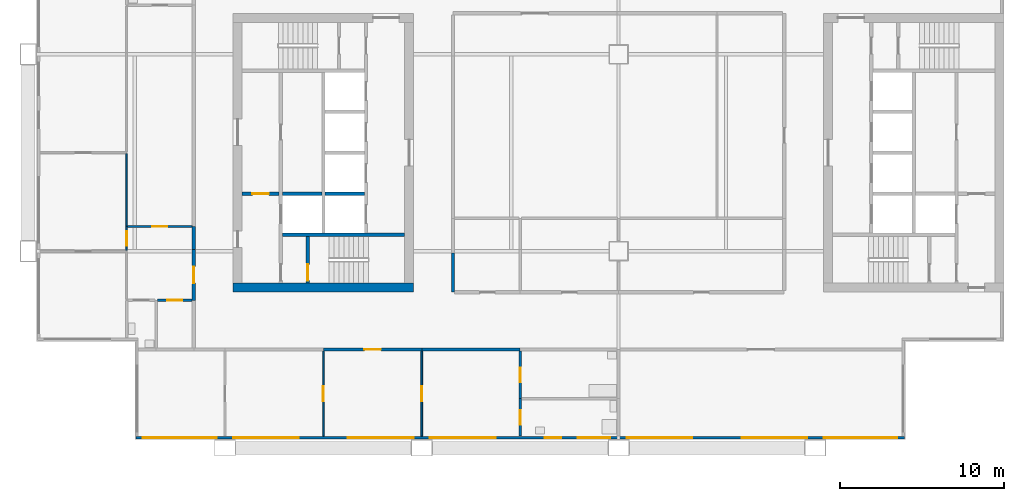
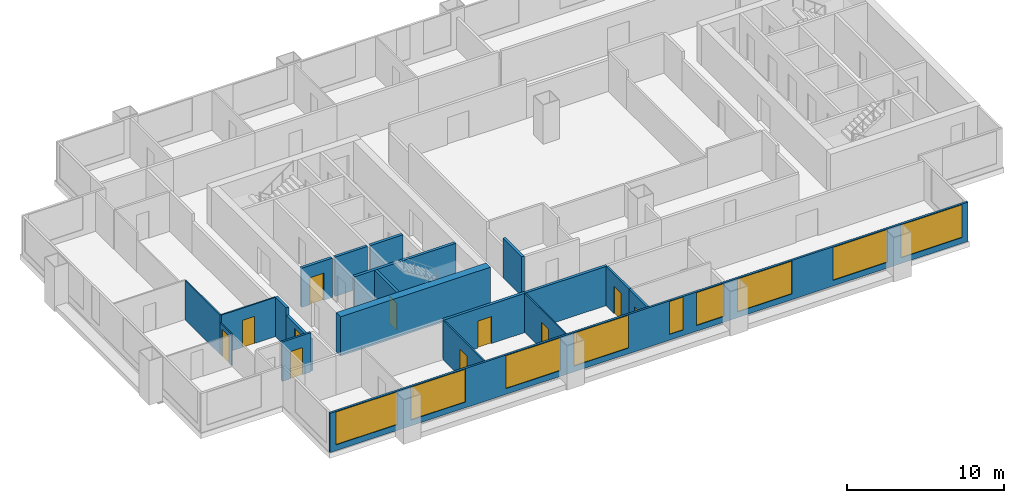
# One storey, part 2 of 8: 20 walls, 11 doors, 9 windows, 20 openings.
"""IFC4 building model written with IfcOpenShell, lengths in metres."""

from ifc_helpers import new_model, si_unit, direction, frame, frame_2d, origin, place, context, subcontext, project, spatial, rectangle, extrude, material, layer, layer_set, type_object, element, fill, save


model = new_model("IFC4")

# Units and contexts
model_context = context("Model", 3, precision=1e-05, world=origin(), true_north=direction((0.0, 1.0)))
body_context = subcontext(model_context, "Body", "Model", "MODEL_VIEW")
ifc_project = project(units=[si_unit("LENGTHUNIT", "METRE"), si_unit("AREAUNIT", "SQUARE_METRE"), si_unit("VOLUMEUNIT", "CUBIC_METRE"), si_unit("PLANEANGLEUNIT", "RADIAN"), si_unit("MASSUNIT", "GRAM", prefix="KILO")], contexts=[model_context])

# Site, building, storey
site_placement = place(None, origin())
site = spatial("IfcSite", under=ifc_project, at=site_placement, CompositionType="ELEMENT")
building_placement = place(site_placement, origin())
building = spatial("IfcBuilding", under=site, at=building_placement, Name="Kitamizu Gate Tower and Museum", CompositionType="ELEMENT")
storey_placement = place(building_placement, frame((0.0, 0.0, 165.14990234375)))
storey = spatial("IfcBuildingStorey", under=building, at=storey_placement, Name="L43", CompositionType="ELEMENT", Elevation=165.14990234375)

# Wall
ifc_material_1 = material(Name="Concrete Fc42", Category="concrete")
ifc_layer_1 = layer(ifc_material_1, 0.550048828125)
ifc_layer_set_1 = layer_set([ifc_layer_1], Name="Concrete Fc42")
wall_type_1 = type_object("IfcWallType", Name="Core wall 550", PredefinedType="SHEAR", material=ifc_layer_set_1)
wall_1_placement = place(storey_placement, frame((12.5, 21.77490234375, 0.0), z_axis=(0.0, 0.0, 1.0), x_axis=(1.0, 0.0, 0.0)))
element("IfcWall", 1, at=wall_1_placement, inside=storey, type_object=wall_type_1, Name="Core wall WS", PredefinedType="SHEAR", context=body_context, shape_type="SweptSolid", body=[
    extrude(rectangle(XDim=11.0, YDim=0.550048828125, at=frame_2d((5.5, 0.0))), origin(), (0.0, 0.0, 1.0), 3.050048828125),
])

# Wall, opening, door
ifc_material_2 = material(Name="Gypsum board on galvanised stud")
ifc_layer_2 = layer(ifc_material_2, 0.10009765625)
ifc_layer_set_2 = layer_set([ifc_layer_2], Name="Gypsum board on galvanised stud")
wall_type_2 = type_object("IfcWallType", Name="Partition 100 NOT RATED", PredefinedType="PARTITIONING", material=ifc_layer_set_2)
wall_2_placement = place(storey_placement, frame((18.0, 12.719970703125, 0.0), z_axis=(0.0, 0.0, 1.0), x_axis=(0.0, 1.0, 0.0)))
wall_2 = element("IfcWall", 2, at=wall_2_placement, inside=storey, type_object=wall_type_2, Name="Partition L43-005", PredefinedType="PARTITIONING", context=body_context, shape_type="SweptSolid", body=[
    extrude(rectangle(XDim=5.179931640625, YDim=0.10009765625, at=frame_2d((2.58984375, 0.0))), origin(), (0.0, 0.0, 1.0), 3.050048828125),
])
opening_1_placement = place(wall_2_placement, frame((2.139892578125, 0.0, 0.0)))
opening_1 = element("IfcOpeningElement", 3, at=opening_1_placement, cuts=wall_2, Name="Opening L43-002", PredefinedType="OPENING", context=body_context, shape_type="SweptSolid", body=[
    extrude(rectangle(XDim=0.89990234375, YDim=2.10009765625, at=frame_2d((0.449951171875, 1.050048828125))), frame((0.0, 0.06005859375, 0.0), z_axis=(0.0, -1.0, 0.0), x_axis=(1.0, 0.0, 0.0)), (0.0, 0.0, 1.0), 0.1201171875),
])
ifc_material_3 = material(Name="Timber door set", Category="wood")
door_type_1 = type_object("IfcDoorType", Name="Room door 900", OperationType="NOTDEFINED", PredefinedType="DOOR", material=ifc_material_3)
door_1_placement = place(opening_1_placement, origin())
door_1 = element("IfcDoor", 4, at=door_1_placement, inside=storey, type_object=door_type_1, Name="Door L43-002", OperationType="SINGLE_SWING_LEFT", OverallHeight=2.10009765625, OverallWidth=0.89990234375, PredefinedType="DOOR", context=body_context, shape_type="SweptSolid", body=[
    extrude(rectangle(XDim=0.89990234375, YDim=2.10009765625, at=frame_2d((0.449951171875, 1.050048828125))), frame((0.0, 0.02490234375, 0.0), z_axis=(0.0, -1.0, 0.0), x_axis=(1.0, 0.0, 0.0)), (0.0, 0.0, 1.0), 0.050048828125),
])
fill(opening_1, door_1)

wall_3_placement = place(storey_placement, frame((24.0, 12.719970703125, 0.0), z_axis=(0.0, 0.0, 1.0), x_axis=(0.0, 1.0, 0.0)))
wall_3 = element("IfcWall", 5, at=wall_3_placement, inside=storey, type_object=wall_type_2, Name="Partition L43-007", PredefinedType="PARTITIONING", context=body_context, shape_type="SweptSolid", body=[
    extrude(rectangle(XDim=5.179931640625, YDim=0.10009765625, at=frame_2d((2.58984375, 0.0))), origin(), (0.0, 0.0, 1.0), 3.050048828125),
])
opening_2_placement = place(wall_3_placement, frame((2.139892578125, 0.0, 0.0)))
opening_2 = element("IfcOpeningElement", 6, at=opening_2_placement, cuts=wall_3, Name="Opening L43-003", PredefinedType="OPENING", context=body_context, shape_type="SweptSolid", body=[
    extrude(rectangle(XDim=0.89990234375, YDim=2.10009765625, at=frame_2d((0.449951171875, 1.050048828125))), frame((0.0, 0.06005859375, 0.0), z_axis=(0.0, -1.0, 0.0), x_axis=(1.0, 0.0, 0.0)), (0.0, 0.0, 1.0), 0.1201171875),
])
door_2_placement = place(opening_2_placement, frame((0.89990234375, 0.0, 0.0), x_axis=(-1.0, 0.0, 0.0)))
door_2 = element("IfcDoor", 7, at=door_2_placement, inside=storey, type_object=door_type_1, Name="Door L43-003", OperationType="SINGLE_SWING_LEFT", OverallHeight=2.10009765625, OverallWidth=0.89990234375, PredefinedType="DOOR", context=body_context, shape_type="SweptSolid", body=[
    extrude(rectangle(XDim=0.89990234375, YDim=2.10009765625, at=frame_2d((0.449951171875, 1.050048828125))), frame((0.0, 0.02490234375, 0.0), z_axis=(0.0, -1.0, 0.0), x_axis=(1.0, 0.0, 0.0)), (0.0, 0.0, 1.0), 0.050048828125),
])
fill(opening_2, door_2)

wall_4_placement = place(storey_placement, frame((6.0, 24.050048828125, 0.0), z_axis=(0.0, 0.0, 1.0), x_axis=(0.0, 1.0, 0.0)))
wall_4 = element("IfcWall", 8, at=wall_4_placement, inside=storey, type_object=wall_type_2, Name="Partition L43-031", PredefinedType="PARTITIONING", context=body_context, shape_type="SweptSolid", body=[
    extrude(rectangle(XDim=1.449951171875, YDim=0.10009765625, at=frame_2d((0.72509765625, 0.0))), origin(), (0.0, 0.0, 1.0), 2.4501953125),
])
opening_3_placement = place(wall_4_placement, frame((0.27490234375, 0.0, 0.0)))
opening_3 = element("IfcOpeningElement", 9, at=opening_3_placement, cuts=wall_4, Name="Opening L43-013", PredefinedType="OPENING", context=body_context, shape_type="SweptSolid", body=[
    extrude(rectangle(XDim=0.89990234375, YDim=2.10009765625, at=frame_2d((0.449951171875, 1.050048828125))), frame((0.0, 0.06005859375, 0.0), z_axis=(0.0, -1.0, 0.0), x_axis=(1.0, 0.0, 0.0)), (0.0, 0.0, 1.0), 0.1201171875),
])
door_3_placement = place(opening_3_placement, origin())
door_3 = element("IfcDoor", 10, at=door_3_placement, inside=storey, type_object=door_type_1, Name="Door L43-013", OperationType="SINGLE_SWING_RIGHT", OverallHeight=2.10009765625, OverallWidth=0.89990234375, PredefinedType="DOOR", context=body_context, shape_type="SweptSolid", body=[
    extrude(rectangle(XDim=0.89990234375, YDim=2.10009765625, at=frame_2d((0.449951171875, 1.050048828125))), frame((0.0, 0.02490234375, 0.0), z_axis=(0.0, -1.0, 0.0), x_axis=(1.0, 0.0, 0.0)), (0.0, 0.0, 1.0), 0.050048828125),
])
fill(opening_3, door_3)

# Wall
wall_5_placement = place(storey_placement, frame((6.0, 25.5, 0.0), z_axis=(0.0, 0.0, 1.0), x_axis=(0.0, 1.0, 0.0)))
element("IfcWall", 11, at=wall_5_placement, inside=storey, type_object=wall_type_2, Name="Partition L43-032", PredefinedType="PARTITIONING", context=body_context, shape_type="SweptSolid", body=[
    extrude(rectangle(XDim=4.449951171875, YDim=0.10009765625, at=frame_2d((2.22509765625, 0.0))), origin(), (0.0, 0.0, 1.0), 3.050048828125),
])

# Wall, opening, door
wall_6_placement = place(storey_placement, frame((10.0, 25.5, 0.0), z_axis=(0.0, 0.0, 1.0), x_axis=(-1.0, 0.0, 0.0)))
wall_6 = element("IfcWall", 12, at=wall_6_placement, inside=storey, type_object=wall_type_2, Name="Partition L43-040", PredefinedType="PARTITIONING", context=body_context, shape_type="SweptSolid", body=[
    extrude(rectangle(XDim=3.949951171875, YDim=0.10009765625, at=frame_2d((1.97509765625, 0.0))), origin(), (0.0, 0.0, 1.0), 3.050048828125),
])
opening_4_placement = place(wall_6_placement, frame((1.52490234375, 0.0, 0.0)))
opening_4 = element("IfcOpeningElement", 13, at=opening_4_placement, cuts=wall_6, Name="Opening L43-014", PredefinedType="OPENING", context=body_context, shape_type="SweptSolid", body=[
    extrude(rectangle(XDim=0.89990234375, YDim=2.10009765625, at=frame_2d((0.449951171875, 1.050048828125))), frame((0.0, 0.06005859375, 0.0), z_axis=(0.0, -1.0, 0.0), x_axis=(1.0, 0.0, 0.0)), (0.0, 0.0, 1.0), 0.1201171875),
])
door_4_placement = place(opening_4_placement, origin())
door_4 = element("IfcDoor", 14, at=door_4_placement, inside=storey, type_object=door_type_1, Name="Door L43-014", OperationType="SINGLE_SWING_LEFT", OverallHeight=2.10009765625, OverallWidth=0.89990234375, PredefinedType="DOOR", context=body_context, shape_type="SweptSolid", body=[
    extrude(rectangle(XDim=0.89990234375, YDim=2.10009765625, at=frame_2d((0.449951171875, 1.050048828125))), frame((0.0, 0.02490234375, 0.0), z_axis=(0.0, -1.0, 0.0), x_axis=(1.0, 0.0, 0.0)), (0.0, 0.0, 1.0), 0.050048828125),
])
fill(opening_4, door_4)

ifc_material_4 = material(Name="Gypsum board on galvanised stud")
ifc_layer_3 = layer(ifc_material_4, 0.14990234375)
ifc_layer_set_3 = layer_set([ifc_layer_3], Name="Gypsum board on galvanised stud")
wall_type_3 = type_object("IfcWallType", Name="Partition 150", PredefinedType="PARTITIONING", material=ifc_layer_set_3)
wall_7_placement = place(storey_placement, frame((30.0, 12.719970703125, 0.0), z_axis=(0.0, 0.0, 1.0), x_axis=(0.0, 1.0, 0.0)))
wall_7 = element("IfcWall", 15, at=wall_7_placement, inside=storey, type_object=wall_type_3, Name="Partition L43-009", PredefinedType="PARTITIONING", context=body_context, shape_type="SweptSolid", body=[
    extrude(rectangle(XDim=2.280029296875, YDim=0.14990234375, at=frame_2d((1.14013671875, 0.0))), origin(), (0.0, 0.0, 1.0), 3.050048828125),
])
opening_5_placement = place(wall_7_placement, frame((0.68994140625, 0.0, 0.0)))
opening_5 = element("IfcOpeningElement", 16, at=opening_5_placement, cuts=wall_7, Name="Opening L43-004", PredefinedType="OPENING", context=body_context, shape_type="SweptSolid", body=[
    extrude(rectangle(XDim=0.89990234375, YDim=2.10009765625, at=frame_2d((0.449951171875, 1.050048828125))), frame((0.0, 0.0849609375, 0.0), z_axis=(0.0, -1.0, 0.0), x_axis=(1.0, 0.0, 0.0)), (0.0, 0.0, 1.0), 0.169921875),
])
ifc_material_5 = material(Name="Timber door set", Category="wood")
door_type_2 = type_object("IfcDoorType", Name="Bathroom door 900", OperationType="NOTDEFINED", PredefinedType="DOOR", material=ifc_material_5)
door_5_placement = place(opening_5_placement, frame((0.89990234375, 0.0, 0.0), x_axis=(-1.0, 0.0, 0.0)))
door_5 = element("IfcDoor", 17, at=door_5_placement, inside=storey, type_object=door_type_2, Name="Bathroom door L43-004", OperationType="SINGLE_SWING_RIGHT", OverallHeight=2.10009765625, OverallWidth=0.89990234375, PredefinedType="DOOR", context=body_context, shape_type="SweptSolid", body=[
    extrude(rectangle(XDim=0.89990234375, YDim=2.10009765625, at=frame_2d((0.449951171875, 1.050048828125))), frame((0.0, 0.02490234375, 0.0), z_axis=(0.0, -1.0, 0.0), x_axis=(1.0, 0.0, 0.0)), (0.0, 0.0, 1.0), 0.050048828125),
])
fill(opening_5, door_5)

wall_8_placement = place(storey_placement, frame((30.0, 15.0, 0.0), z_axis=(0.0, 0.0, 1.0), x_axis=(0.0, 1.0, 0.0)))
wall_8 = element("IfcWall", 18, at=wall_8_placement, inside=storey, type_object=wall_type_3, Name="Partition L43-010", PredefinedType="PARTITIONING", context=body_context, shape_type="SweptSolid", body=[
    extrude(rectangle(XDim=2.89990234375, YDim=0.14990234375, at=frame_2d((1.449951171875, 0.0))), origin(), (0.0, 0.0, 1.0), 3.050048828125),
])
opening_6_placement = place(wall_8_placement, frame((1.0, 0.0, 0.0)))
opening_6 = element("IfcOpeningElement", 19, at=opening_6_placement, cuts=wall_8, Name="Opening L43-006", PredefinedType="OPENING", context=body_context, shape_type="SweptSolid", body=[
    extrude(rectangle(XDim=0.89990234375, YDim=2.10009765625, at=frame_2d((0.449951171875, 1.050048828125))), frame((0.0, 0.0849609375, 0.0), z_axis=(0.0, -1.0, 0.0), x_axis=(1.0, 0.0, 0.0)), (0.0, 0.0, 1.0), 0.169921875),
])
door_6_placement = place(opening_6_placement, frame((0.89990234375, 0.0, 0.0), x_axis=(-1.0, 0.0, 0.0)))
door_6 = element("IfcDoor", 20, at=door_6_placement, inside=storey, type_object=door_type_2, Name="Bathroom door L43-006", OperationType="SINGLE_SWING_RIGHT", OverallHeight=2.10009765625, OverallWidth=0.89990234375, PredefinedType="DOOR", context=body_context, shape_type="SweptSolid", body=[
    extrude(rectangle(XDim=0.89990234375, YDim=2.10009765625, at=frame_2d((0.449951171875, 1.050048828125))), frame((0.0, 0.02490234375, 0.0), z_axis=(0.0, -1.0, 0.0), x_axis=(1.0, 0.0, 0.0)), (0.0, 0.0, 1.0), 0.050048828125),
])
fill(opening_6, door_6)

wall_9_placement = place(storey_placement, frame((10.0, 21.0, 0.0), z_axis=(0.0, 0.0, 1.0), x_axis=(-1.0, 0.0, 0.0)))
wall_9 = element("IfcWall", 21, at=wall_9_placement, inside=storey, type_object=wall_type_3, Name="Partition L43-038", PredefinedType="PARTITIONING", context=body_context, shape_type="SweptSolid", body=[
    extrude(rectangle(XDim=2.125, YDim=0.14990234375, at=frame_2d((1.0625, 0.0))), origin(), (0.0, 0.0, 1.0), 3.050048828125),
])
opening_7_placement = place(wall_9_placement, frame((0.612548828125, 0.0, 0.0)))
opening_7 = element("IfcOpeningElement", 22, at=opening_7_placement, cuts=wall_9, Name="Opening L43-018", PredefinedType="OPENING", context=body_context, shape_type="SweptSolid", body=[
    extrude(rectangle(XDim=0.89990234375, YDim=2.10009765625, at=frame_2d((0.449951171875, 1.050048828125))), frame((0.0, 0.0849609375, 0.0), z_axis=(0.0, -1.0, 0.0), x_axis=(1.0, 0.0, 0.0)), (0.0, 0.0, 1.0), 0.169921875),
])
door_7_placement = place(opening_7_placement, origin())
door_7 = element("IfcDoor", 23, at=door_7_placement, inside=storey, type_object=door_type_2, Name="Bathroom door L43-018", OperationType="SINGLE_SWING_LEFT", OverallHeight=2.10009765625, OverallWidth=0.89990234375, PredefinedType="DOOR", context=body_context, shape_type="SweptSolid", body=[
    extrude(rectangle(XDim=0.89990234375, YDim=2.10009765625, at=frame_2d((0.449951171875, 1.050048828125))), frame((0.0, 0.02490234375, 0.0), z_axis=(0.0, -1.0, 0.0), x_axis=(1.0, 0.0, 0.0)), (0.0, 0.0, 1.0), 0.050048828125),
])
fill(opening_7, door_7)

ifc_material_6 = material(Name="Gypsum board on galvanised stud")
ifc_layer_4 = layer(ifc_material_6, 0.199951171875)
ifc_layer_set_4 = layer_set([ifc_layer_4], Name="Gypsum board on galvanised stud")
wall_type_4 = type_object("IfcWallType", Name="Partition 200", PredefinedType="PARTITIONING", material=ifc_layer_set_4)
wall_10_placement = place(storey_placement, frame((24.0, 18.0, 0.0), z_axis=(0.0, 0.0, 1.0), x_axis=(-1.0, 0.0, 0.0)))
wall_10 = element("IfcWall", 24, at=wall_10_placement, inside=storey, type_object=wall_type_4, Name="Partition L43-008", PredefinedType="PARTITIONING", context=body_context, shape_type="SweptSolid", body=[
    extrude(rectangle(XDim=6.0, YDim=0.199951171875, at=frame_2d((3.0, 0.0))), origin(), (0.0, 0.0, 1.0), 3.050048828125),
])
opening_8_placement = place(wall_10_placement, frame((2.5, 0.0, 0.0)))
opening_8 = element("IfcOpeningElement", 25, at=opening_8_placement, cuts=wall_10, Name="Opening L43-001", PredefinedType="OPENING", context=body_context, shape_type="SweptSolid", body=[
    extrude(rectangle(XDim=1.0, YDim=2.10009765625, at=frame_2d((0.5, 1.050048828125))), frame((0.0, 0.10986328125, 0.0), z_axis=(0.0, -1.0, 0.0), x_axis=(1.0, 0.0, 0.0)), (0.0, 0.0, 1.0), 0.219970703125),
])
ifc_material_7 = material(Name="Timber door set", Category="wood")
door_type_3 = type_object("IfcDoorType", Name="Flat entrance door 1000", OperationType="NOTDEFINED", PredefinedType="DOOR", material=ifc_material_7)
door_8_placement = place(opening_8_placement, origin())
door_8 = element("IfcDoor", 26, at=door_8_placement, inside=storey, type_object=door_type_3, Name="Flat entrance door L43-001", OperationType="SINGLE_SWING_RIGHT", OverallHeight=2.10009765625, OverallWidth=1.0, PredefinedType="DOOR", context=body_context, shape_type="SweptSolid", body=[
    extrude(rectangle(XDim=1.0, YDim=2.10009765625, at=frame_2d((0.5, 1.050048828125))), frame((0.0, 0.02490234375, 0.0), z_axis=(0.0, -1.0, 0.0), x_axis=(1.0, 0.0, 0.0)), (0.0, 0.0, 1.0), 0.050048828125),
])
fill(opening_8, door_8)

# Wall
wall_11_placement = place(storey_placement, frame((30.0, 18.0, 0.0), z_axis=(0.0, 0.0, 1.0), x_axis=(-1.0, 0.0, 0.0)))
element("IfcWall", 27, at=wall_11_placement, inside=storey, type_object=wall_type_4, Name="Partition L43-011", PredefinedType="PARTITIONING", context=body_context, shape_type="SweptSolid", body=[
    extrude(rectangle(XDim=6.0, YDim=0.199951171875, at=frame_2d((3.0, 0.0))), origin(), (0.0, 0.0, 1.0), 3.050048828125),
])

# Wall, opening, door
wall_12_placement = place(storey_placement, frame((10.10009765625, 21.0, 0.0), z_axis=(0.0, 0.0, 1.0), x_axis=(0.0, 1.0, 0.0)))
wall_12 = element("IfcWall", 28, at=wall_12_placement, inside=storey, type_object=wall_type_4, Name="Partition L43-041", PredefinedType="PARTITIONING", context=body_context, shape_type="SweptSolid", body=[
    extrude(rectangle(XDim=3.10009765625, YDim=0.199951171875, at=frame_2d((1.550048828125, 0.0))), origin(), (0.0, 0.0, 1.0), 2.4501953125),
])
opening_9_placement = place(wall_12_placement, frame((1.050048828125, 0.0, 0.0)))
opening_9 = element("IfcOpeningElement", 29, at=opening_9_placement, cuts=wall_12, Name="Opening L43-012", PredefinedType="OPENING", context=body_context, shape_type="SweptSolid", body=[
    extrude(rectangle(XDim=1.0, YDim=2.10009765625, at=frame_2d((0.5, 1.050048828125))), frame((0.0, 0.10986328125, 0.0), z_axis=(0.0, -1.0, 0.0), x_axis=(1.0, 0.0, 0.0)), (0.0, 0.0, 1.0), 0.219970703125),
])
door_9_placement = place(opening_9_placement, origin())
door_9 = element("IfcDoor", 30, at=door_9_placement, inside=storey, type_object=door_type_3, Name="Flat entrance door L43-012", OperationType="SINGLE_SWING_RIGHT", OverallHeight=2.10009765625, OverallWidth=1.0, PredefinedType="DOOR", context=body_context, shape_type="SweptSolid", body=[
    extrude(rectangle(XDim=1.0, YDim=2.10009765625, at=frame_2d((0.5, 1.050048828125))), frame((0.0, 0.02490234375, 0.0), z_axis=(0.0, -1.0, 0.0), x_axis=(1.0, 0.0, 0.0)), (0.0, 0.0, 1.0), 0.050048828125),
])
fill(opening_9, door_9)

# Walls
wall_13_placement = place(storey_placement, frame((10.10009765625, 24.10009765625, 0.0), z_axis=(0.0, 0.0, 1.0), x_axis=(0.0, 1.0, 0.0)))
element("IfcWall", 31, at=wall_13_placement, inside=storey, type_object=wall_type_4, Name="Partition L43-042", PredefinedType="PARTITIONING", context=body_context, shape_type="SweptSolid", body=[
    extrude(rectangle(XDim=1.39990234375, YDim=0.199951171875, at=frame_2d((0.699951171875, 0.0))), origin(), (0.0, 0.0, 1.0), 3.050048828125),
])
wall_14_placement = place(storey_placement, frame((25.89990234375, 23.89990234375, 0.0), z_axis=(0.0, 0.0, 1.0), x_axis=(0.0, -1.0, 0.0)))
element("IfcWall", 32, at=wall_14_placement, inside=storey, type_object=wall_type_4, Name="Partition L43-050", PredefinedType="PARTITIONING", context=body_context, shape_type="SweptSolid", body=[
    extrude(rectangle(XDim=2.39990234375, YDim=0.199951171875, at=frame_2d((1.199951171875, 0.0))), origin(), (0.0, 0.0, 1.0), 3.050048828125),
])
ifc_material_8 = material(Name="Concrete Fc42", Category="concrete")
ifc_layer_5 = layer(ifc_material_8, 0.199951171875)
ifc_layer_set_5 = layer_set([ifc_layer_5], Name="Concrete Fc42")
wall_type_5 = type_object("IfcWallType", Name="Shaft wall 200", PredefinedType="SOLIDWALL", material=ifc_layer_set_5)
wall_15_placement = place(storey_placement, frame((15.5, 25.0, 0.0), z_axis=(0.0, 0.0, 1.0), x_axis=(1.0, 0.0, 0.0)))
element("IfcWall", 33, at=wall_15_placement, inside=storey, type_object=wall_type_5, Name="Shaft wall WSB", PredefinedType="SOLIDWALL", context=body_context, shape_type="SweptSolid", body=[
    extrude(rectangle(XDim=7.449951171875, YDim=0.199951171875, at=frame_2d((3.72509765625, 0.0))), origin(), (0.0, 0.0, 1.0), 3.050048828125),
])

# Wall, opening, door
wall_16_placement = place(storey_placement, frame((13.050048828125, 27.5, 0.0), z_axis=(0.0, 0.0, 1.0), x_axis=(1.0, 0.0, 0.0)))
wall_16 = element("IfcWall", 34, at=wall_16_placement, inside=storey, type_object=wall_type_5, Name="Shaft wall WFFN", PredefinedType="SOLIDWALL", context=body_context, shape_type="SweptSolid", body=[
    extrude(rectangle(XDim=2.25, YDim=0.199951171875, at=frame_2d((1.125, 0.0))), origin(), (0.0, 0.0, 1.0), 3.050048828125),
])
opening_10_placement = place(wall_16_placement, frame((0.625, 0.0, 0.0)))
opening_10 = element("IfcOpeningElement", 35, at=opening_10_placement, cuts=wall_16, Name="Opening L43-031", PredefinedType="OPENING", context=body_context, shape_type="SweptSolid", body=[
    extrude(rectangle(XDim=1.0, YDim=2.10009765625, at=frame_2d((0.5, 1.050048828125))), frame((0.0, 0.10986328125, 0.0), z_axis=(0.0, -1.0, 0.0), x_axis=(1.0, 0.0, 0.0)), (0.0, 0.0, 1.0), 0.219970703125),
])
ifc_material_9 = material(Name="Hollow metal door set")
door_type_4 = type_object("IfcDoorType", Name="Fire door 1000", OperationType="NOTDEFINED", PredefinedType="DOOR", material=ifc_material_9)
door_10_placement = place(opening_10_placement, frame((1.0, 0.0, 0.0), x_axis=(-1.0, 0.0, 0.0)))
door_10 = element("IfcDoor", 36, at=door_10_placement, inside=storey, type_object=door_type_4, Name="Fire-fighting lobby door L43-031", OperationType="SINGLE_SWING_RIGHT", OverallHeight=2.10009765625, OverallWidth=1.0, PredefinedType="DOOR", context=body_context, shape_type="SweptSolid", body=[
    extrude(rectangle(XDim=1.0, YDim=2.10009765625, at=frame_2d((0.5, 1.050048828125))), frame((0.0, 0.02490234375, 0.0), z_axis=(0.0, -1.0, 0.0), x_axis=(1.0, 0.0, 0.0)), (0.0, 0.0, 1.0), 0.050048828125),
])
fill(opening_10, door_10)

wall_17_placement = place(storey_placement, frame((17.050048828125, 22.050048828125, 0.0), z_axis=(0.0, 0.0, 1.0), x_axis=(0.0, 1.0, 0.0)))
wall_17 = element("IfcWall", 37, at=wall_17_placement, inside=storey, type_object=wall_type_5, Name="Shaft wall WSZ", PredefinedType="SOLIDWALL", context=body_context, shape_type="SweptSolid", body=[
    extrude(rectangle(XDim=2.849853515625, YDim=0.199951171875, at=frame_2d((1.4248046875, 0.0))), origin(), (0.0, 0.0, 1.0), 3.050048828125),
])
opening_11_placement = place(wall_17_placement, frame((0.14990234375, 0.0, 0.0)))
opening_11 = element("IfcOpeningElement", 38, at=opening_11_placement, cuts=wall_17, Name="Opening L43-027", PredefinedType="OPENING", context=body_context, shape_type="SweptSolid", body=[
    extrude(rectangle(XDim=1.0, YDim=2.10009765625, at=frame_2d((0.5, 1.050048828125))), frame((0.0, 0.10986328125, 0.0), z_axis=(0.0, -1.0, 0.0), x_axis=(1.0, 0.0, 0.0)), (0.0, 0.0, 1.0), 0.219970703125),
])
door_11_placement = place(opening_11_placement, frame((1.0, 0.0, 0.0), x_axis=(-1.0, 0.0, 0.0)))
door_11 = element("IfcDoor", 39, at=door_11_placement, inside=storey, type_object=door_type_4, Name="Stair door L43-027", OperationType="SINGLE_SWING_LEFT", OverallHeight=2.10009765625, OverallWidth=1.0, PredefinedType="DOOR", context=body_context, shape_type="SweptSolid", body=[
    extrude(rectangle(XDim=1.0, YDim=2.10009765625, at=frame_2d((0.5, 1.050048828125))), frame((0.0, 0.02490234375, 0.0), z_axis=(0.0, -1.0, 0.0), x_axis=(1.0, 0.0, 0.0)), (0.0, 0.0, 1.0), 0.050048828125),
])
fill(opening_11, door_11)

# Walls
for number, where, z_axis, x_axis, name in (
    (40, (15.5, 27.5, 0.0), (0.0, 0.0, 1.0), (1.0, 0.0, 0.0), "Shaft wall WDVW0"),
    (41, (18.10009765625, 27.5, 0.0), (0.0, 0.0, 1.0), (1.0, 0.0, 0.0), "Shaft wall WDVE0"),
):
    element("IfcWall", number, at=place(storey_placement, frame(where, z_axis=z_axis, x_axis=x_axis)), inside=storey, type_object=wall_type_5, Name=name, PredefinedType="SOLIDWALL", context=body_context, shape_type="SweptSolid", body=[
        extrude(rectangle(XDim=2.39990234375, YDim=0.199951171875, at=frame_2d((1.199951171875, 0.0))), origin(), (0.0, 0.0, 1.0), 3.050048828125),
    ])

# Wall, openings, windows
ifc_material_10 = material(Name="Bronze anodised aluminium frame with insulated spandrel and tinted glass", Category="aluminium")
ifc_layer_6 = layer(ifc_material_10, 0.14990234375)
ifc_layer_set_6 = layer_set([ifc_layer_6], Name="Bronze anodised aluminium frame with insulated spandrel and tinted glass")
wall_type_6 = type_object("IfcWallType", Name="WINDOW WALL 150 BRONZE FRAME EI 30", PredefinedType="ELEMENTEDWALL", material=ifc_layer_set_6)
wall_18_placement = place(storey_placement, frame((6.56005859375, 12.635009765625, 0.0), z_axis=(0.0, 0.0, 1.0), x_axis=(1.0, 0.0, 0.0)))
wall_18 = element("IfcWall", 42, at=wall_18_placement, inside=storey, type_object=wall_type_6, Name="Window wall south L43", PredefinedType="ELEMENTEDWALL", context=body_context, shape_type="SweptSolid", body=[
    extrude(rectangle(XDim=46.8798828125, YDim=0.14990234375, at=frame_2d((23.43994140625, 0.0))), origin(), (0.0, 0.0, 1.0), 3.050048828125),
])
opening_12_placement = place(wall_18_placement, frame((0.43994140625, 0.0, 0.449951171875)))
opening_12 = element("IfcOpeningElement", 43, at=opening_12_placement, cuts=wall_18, Name="Opening W15", PredefinedType="OPENING", context=body_context, shape_type="SweptSolid", body=[
    extrude(rectangle(XDim=4.5, YDim=2.550048828125, at=frame_2d((2.25, 1.27490234375))), frame((0.0, 0.0849609375, 0.0), z_axis=(0.0, -1.0, 0.0), x_axis=(1.0, 0.0, 0.0)), (0.0, 0.0, 1.0), 0.169921875),
])
opening_13_placement = place(wall_18_placement, frame((5.93994140625, 0.0, 0.449951171875)))
opening_13 = element("IfcOpeningElement", 44, at=opening_13_placement, cuts=wall_18, Name="Opening W16", PredefinedType="OPENING", context=body_context, shape_type="SweptSolid", body=[
    extrude(rectangle(XDim=4.0, YDim=2.550048828125, at=frame_2d((2.0, 1.27490234375))), frame((0.0, 0.0849609375, 0.0), z_axis=(0.0, -1.0, 0.0), x_axis=(1.0, 0.0, 0.0)), (0.0, 0.0, 1.0), 0.169921875),
])
opening_14_placement = place(wall_18_placement, frame((12.93994140625, 0.0, 0.449951171875)))
opening_14 = element("IfcOpeningElement", 45, at=opening_14_placement, cuts=wall_18, Name="Opening W16", PredefinedType="OPENING", context=body_context, shape_type="SweptSolid", body=[
    extrude(rectangle(XDim=4.0, YDim=2.550048828125, at=frame_2d((2.0, 1.27490234375))), frame((0.0, 0.0849609375, 0.0), z_axis=(0.0, -1.0, 0.0), x_axis=(1.0, 0.0, 0.0)), (0.0, 0.0, 1.0), 0.169921875),
])
opening_15_placement = place(wall_18_placement, frame((17.93994140625, 0.0, 0.449951171875)))
opening_15 = element("IfcOpeningElement", 46, at=opening_15_placement, cuts=wall_18, Name="Opening W16", PredefinedType="OPENING", context=body_context, shape_type="SweptSolid", body=[
    extrude(rectangle(XDim=4.0, YDim=2.550048828125, at=frame_2d((2.0, 1.27490234375))), frame((0.0, 0.0849609375, 0.0), z_axis=(0.0, -1.0, 0.0), x_axis=(1.0, 0.0, 0.0)), (0.0, 0.0, 1.0), 0.169921875),
])
opening_16_placement = place(wall_18_placement, frame((24.93994140625, 0.0, 0.449951171875)))
opening_16 = element("IfcOpeningElement", 47, at=opening_16_placement, cuts=wall_18, Name="Opening W26", PredefinedType="OPENING", context=body_context, shape_type="SweptSolid", body=[
    extrude(rectangle(XDim=1.0, YDim=2.550048828125, at=frame_2d((0.5, 1.27490234375))), frame((0.0, 0.0849609375, 0.0), z_axis=(0.0, -1.0, 0.0), x_axis=(1.0, 0.0, 0.0)), (0.0, 0.0, 1.0), 0.169921875),
])
opening_17_placement = place(wall_18_placement, frame((26.93994140625, 0.0, 0.449951171875)))
opening_17 = element("IfcOpeningElement", 48, at=opening_17_placement, cuts=wall_18, Name="Opening W2", PredefinedType="OPENING", context=body_context, shape_type="SweptSolid", body=[
    extrude(rectangle(XDim=2.0, YDim=2.550048828125, at=frame_2d((1.0, 1.27490234375))), frame((0.0, 0.0849609375, 0.0), z_axis=(0.0, -1.0, 0.0), x_axis=(1.0, 0.0, 0.0)), (0.0, 0.0, 1.0), 0.169921875),
])
opening_18_placement = place(wall_18_placement, frame((29.93994140625, 0.0, 0.449951171875)))
opening_18 = element("IfcOpeningElement", 49, at=opening_18_placement, cuts=wall_18, Name="Opening W16", PredefinedType="OPENING", context=body_context, shape_type="SweptSolid", body=[
    extrude(rectangle(XDim=4.0, YDim=2.550048828125, at=frame_2d((2.0, 1.27490234375))), frame((0.0, 0.0849609375, 0.0), z_axis=(0.0, -1.0, 0.0), x_axis=(1.0, 0.0, 0.0)), (0.0, 0.0, 1.0), 0.169921875),
])
opening_19_placement = place(wall_18_placement, frame((36.93994140625, 0.0, 0.449951171875)))
opening_19 = element("IfcOpeningElement", 50, at=opening_19_placement, cuts=wall_18, Name="Opening W16", PredefinedType="OPENING", context=body_context, shape_type="SweptSolid", body=[
    extrude(rectangle(XDim=4.0, YDim=2.550048828125, at=frame_2d((2.0, 1.27490234375))), frame((0.0, 0.0849609375, 0.0), z_axis=(0.0, -1.0, 0.0), x_axis=(1.0, 0.0, 0.0)), (0.0, 0.0, 1.0), 0.169921875),
])
opening_20_placement = place(wall_18_placement, frame((41.93994140625, 0.0, 0.449951171875)))
opening_20 = element("IfcOpeningElement", 51, at=opening_20_placement, cuts=wall_18, Name="Opening W15", PredefinedType="OPENING", context=body_context, shape_type="SweptSolid", body=[
    extrude(rectangle(XDim=4.5, YDim=2.550048828125, at=frame_2d((2.25, 1.27490234375))), frame((0.0, 0.0849609375, 0.0), z_axis=(0.0, -1.0, 0.0), x_axis=(1.0, 0.0, 0.0)), (0.0, 0.0, 1.0), 0.169921875),
])
ifc_material_11 = material(Name="Bronze anodised aluminium frame, tinted triple glazing", Category="aluminium")
window_type_1 = type_object("IfcWindowType", Name="WINDOW 1000 x 2550 SILL 450", PartitioningType="SINGLE_PANEL", PredefinedType="WINDOW", material=ifc_material_11)
window_1_placement = place(opening_16_placement, origin())
window_1 = element("IfcWindow", 52, at=window_1_placement, inside=storey, type_object=window_type_1, Name="Window W26 L43", OverallHeight=2.550048828125, OverallWidth=1.0, PartitioningType="SINGLE_PANEL", PredefinedType="WINDOW", context=body_context, shape_type="SweptSolid", body=[
    extrude(rectangle(XDim=1.0, YDim=2.550048828125, at=frame_2d((0.5, 1.27490234375))), frame((0.0, 0.030029296875, 0.0), z_axis=(0.0, -1.0, 0.0), x_axis=(1.0, 0.0, 0.0)), (0.0, 0.0, 1.0), 0.06005859375),
])
fill(opening_16, window_1)
ifc_material_12 = material(Name="Bronze anodised aluminium frame, tinted triple glazing", Category="aluminium")
window_type_2 = type_object("IfcWindowType", Name="WINDOW 2000 x 2550 SILL 450", PartitioningType="SINGLE_PANEL", PredefinedType="WINDOW", material=ifc_material_12)
window_2_placement = place(opening_17_placement, origin())
window_2 = element("IfcWindow", 53, at=window_2_placement, inside=storey, type_object=window_type_2, Name="Window W2 L43", OverallHeight=2.550048828125, OverallWidth=2.0, PartitioningType="SINGLE_PANEL", PredefinedType="WINDOW", context=body_context, shape_type="SweptSolid", body=[
    extrude(rectangle(XDim=2.0, YDim=2.550048828125, at=frame_2d((1.0, 1.27490234375))), frame((0.0, 0.030029296875, 0.0), z_axis=(0.0, -1.0, 0.0), x_axis=(1.0, 0.0, 0.0)), (0.0, 0.0, 1.0), 0.06005859375),
])
fill(opening_17, window_2)
ifc_material_13 = material(Name="Bronze anodised aluminium frame, tinted triple glazing", Category="aluminium")
window_type_3 = type_object("IfcWindowType", Name="WINDOW 4000 x 2550 SILL 450", PartitioningType="SINGLE_PANEL", PredefinedType="WINDOW", material=ifc_material_13)
window_3_placement = place(opening_13_placement, origin())
window_3 = element("IfcWindow", 54, at=window_3_placement, inside=storey, type_object=window_type_3, Name="Window W16 L43", OverallHeight=2.550048828125, OverallWidth=4.0, PartitioningType="SINGLE_PANEL", PredefinedType="WINDOW", context=body_context, shape_type="SweptSolid", body=[
    extrude(rectangle(XDim=4.0, YDim=2.550048828125, at=frame_2d((2.0, 1.27490234375))), frame((0.0, 0.030029296875, 0.0), z_axis=(0.0, -1.0, 0.0), x_axis=(1.0, 0.0, 0.0)), (0.0, 0.0, 1.0), 0.06005859375),
])
fill(opening_13, window_3)
window_4_placement = place(opening_14_placement, origin())
window_4 = element("IfcWindow", 55, at=window_4_placement, inside=storey, type_object=window_type_3, Name="Window W16 L43", OverallHeight=2.550048828125, OverallWidth=4.0, PartitioningType="SINGLE_PANEL", PredefinedType="WINDOW", context=body_context, shape_type="SweptSolid", body=[
    extrude(rectangle(XDim=4.0, YDim=2.550048828125, at=frame_2d((2.0, 1.27490234375))), frame((0.0, 0.030029296875, 0.0), z_axis=(0.0, -1.0, 0.0), x_axis=(1.0, 0.0, 0.0)), (0.0, 0.0, 1.0), 0.06005859375),
])
fill(opening_14, window_4)
window_5_placement = place(opening_15_placement, origin())
window_5 = element("IfcWindow", 56, at=window_5_placement, inside=storey, type_object=window_type_3, Name="Window W16 L43", OverallHeight=2.550048828125, OverallWidth=4.0, PartitioningType="SINGLE_PANEL", PredefinedType="WINDOW", context=body_context, shape_type="SweptSolid", body=[
    extrude(rectangle(XDim=4.0, YDim=2.550048828125, at=frame_2d((2.0, 1.27490234375))), frame((0.0, 0.030029296875, 0.0), z_axis=(0.0, -1.0, 0.0), x_axis=(1.0, 0.0, 0.0)), (0.0, 0.0, 1.0), 0.06005859375),
])
fill(opening_15, window_5)
window_6_placement = place(opening_18_placement, origin())
window_6 = element("IfcWindow", 57, at=window_6_placement, inside=storey, type_object=window_type_3, Name="Window W16 L43", OverallHeight=2.550048828125, OverallWidth=4.0, PartitioningType="SINGLE_PANEL", PredefinedType="WINDOW", context=body_context, shape_type="SweptSolid", body=[
    extrude(rectangle(XDim=4.0, YDim=2.550048828125, at=frame_2d((2.0, 1.27490234375))), frame((0.0, 0.030029296875, 0.0), z_axis=(0.0, -1.0, 0.0), x_axis=(1.0, 0.0, 0.0)), (0.0, 0.0, 1.0), 0.06005859375),
])
fill(opening_18, window_6)
window_7_placement = place(opening_19_placement, origin())
window_7 = element("IfcWindow", 58, at=window_7_placement, inside=storey, type_object=window_type_3, Name="Window W16 L43", OverallHeight=2.550048828125, OverallWidth=4.0, PartitioningType="SINGLE_PANEL", PredefinedType="WINDOW", context=body_context, shape_type="SweptSolid", body=[
    extrude(rectangle(XDim=4.0, YDim=2.550048828125, at=frame_2d((2.0, 1.27490234375))), frame((0.0, 0.030029296875, 0.0), z_axis=(0.0, -1.0, 0.0), x_axis=(1.0, 0.0, 0.0)), (0.0, 0.0, 1.0), 0.06005859375),
])
fill(opening_19, window_7)
ifc_material_14 = material(Name="Bronze anodised aluminium frame, tinted triple glazing", Category="aluminium")
window_type_4 = type_object("IfcWindowType", Name="WINDOW 4500 x 2550 SILL 450", PartitioningType="SINGLE_PANEL", PredefinedType="WINDOW", material=ifc_material_14)
window_8_placement = place(opening_12_placement, origin())
window_8 = element("IfcWindow", 59, at=window_8_placement, inside=storey, type_object=window_type_4, Name="Window W15 L43", OverallHeight=2.550048828125, OverallWidth=4.5, PartitioningType="SINGLE_PANEL", PredefinedType="WINDOW", context=body_context, shape_type="SweptSolid", body=[
    extrude(rectangle(XDim=4.5, YDim=2.550048828125, at=frame_2d((2.25, 1.27490234375))), frame((0.0, 0.030029296875, 0.0), z_axis=(0.0, -1.0, 0.0), x_axis=(1.0, 0.0, 0.0)), (0.0, 0.0, 1.0), 0.06005859375),
])
fill(opening_12, window_8)
window_9_placement = place(opening_20_placement, origin())
window_9 = element("IfcWindow", 60, at=window_9_placement, inside=storey, type_object=window_type_4, Name="Window W15 L43", OverallHeight=2.550048828125, OverallWidth=4.5, PartitioningType="SINGLE_PANEL", PredefinedType="WINDOW", context=body_context, shape_type="SweptSolid", body=[
    extrude(rectangle(XDim=4.5, YDim=2.550048828125, at=frame_2d((2.25, 1.27490234375))), frame((0.0, 0.030029296875, 0.0), z_axis=(0.0, -1.0, 0.0), x_axis=(1.0, 0.0, 0.0)), (0.0, 0.0, 1.0), 0.06005859375),
])
fill(opening_20, window_9)

save(model, "model.ifc")
